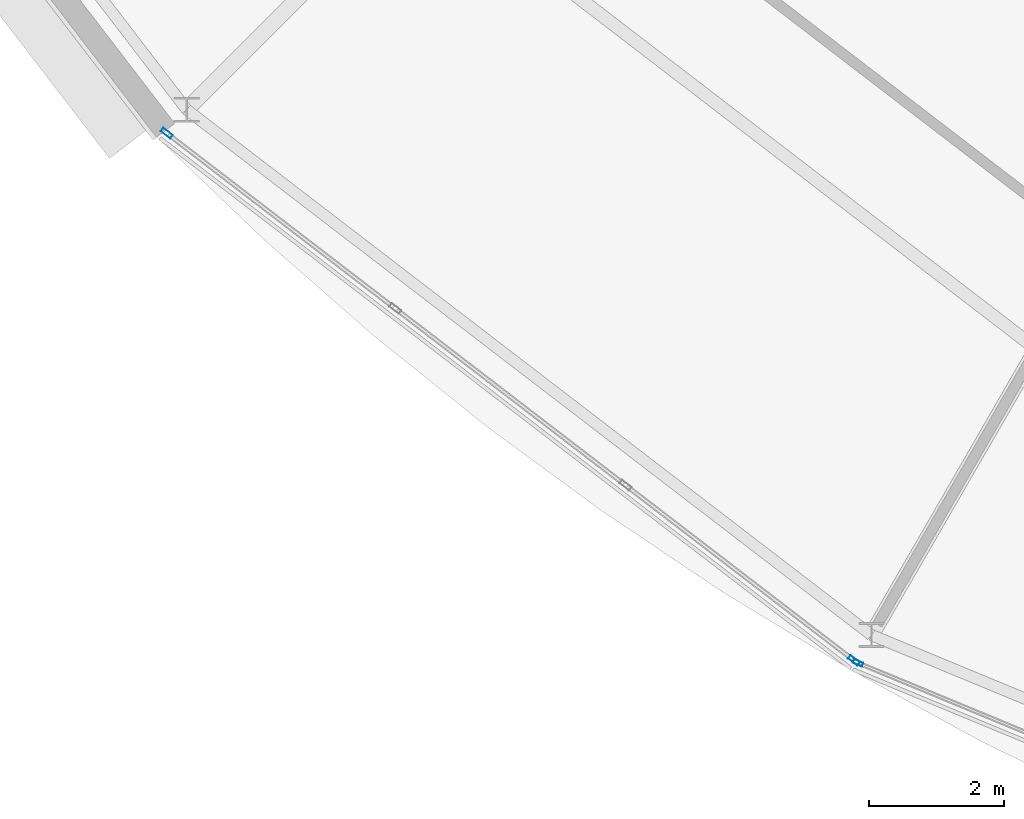
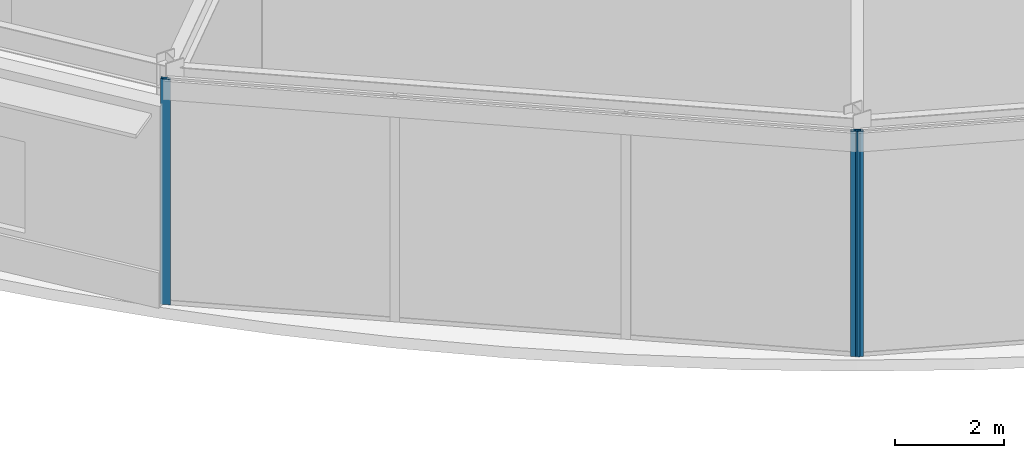
# One storey, part 26 of 168: 3 members, 2 elements without a shape of their own.
"""IFC4 building model written with IfcOpenShell, lengths in metres."""

import ifcopenshell
import ifcopenshell.guid

model = None  # the IFC model being written
_history = None  # IfcOwnerHistory: only IFC2X3 demands one
_inside = {}  # id of a spatial element -> (the spatial element, [elements in it])
_under = {}  # id of a project, library or spatial element -> (it, [spatial elements below it])
_declared = {}  # id of a project -> (the project, [libraries it declares])
_typed = {}  # id of a type object -> (the type object, [elements of that type])
_made_of = {}  # id of a material, layer set ... -> (it, [elements and type objects made of it])


def new_model(schema):
    """Start an empty IFC model of exactly this schema.

    Asked for "IFC4X3", IfcOpenShell would pick the latest addendum, in which some entities
    have other attributes; the version numbers below select the first issue.
    IFC2X3 requires an IfcOwnerHistory on every rooted entity: one is made here for all.
    """
    global model, _history
    if schema == "IFC4X3":
        model = ifcopenshell.file(schema_version=(4, 3, 0, 0))
    else:
        model = ifcopenshell.file(schema=schema)
    _inside.clear()
    _under.clear()
    _declared.clear()
    _typed.clear()
    _made_of.clear()
    _history = None
    if model.schema == "IFC2X3":
        org = make("IfcOrganization", Name="unknown")
        user = make(
            "IfcPersonAndOrganization",
            ThePerson=make("IfcPerson", FamilyName="unknown"),
            TheOrganization=org,
        )
        app = make(
            "IfcApplication",
            ApplicationDeveloper=org,
            Version="unknown",
            ApplicationFullName="unknown",
            ApplicationIdentifier="unknown",
        )
        _history = make(
            "IfcOwnerHistory",
            OwningUser=user,
            OwningApplication=app,
            ChangeAction="ADDED",
            CreationDate=0,
        )
    return model


def make(cls, **values):
    """One entity of the class cls with the attributes given. An attribute that is None is left unset."""
    return model.create_entity(
        cls, **{name: value for name, value in values.items() if value is not None}
    )


def rooted(cls, **values):
    """An entity with a GlobalId (a new one), such as an element, a storey or a relation."""
    return make(cls, GlobalId=ifcopenshell.guid.new(), OwnerHistory=_history, **values)


def si_unit(unit_type, name, prefix=None):
    """IfcSIUnit, for example si_unit("LENGTHUNIT", "METRE", prefix="MILLI")."""
    return make("IfcSIUnit", UnitType=unit_type, Prefix=prefix, Name=name)


def assignment(units):
    """IfcUnitAssignment: the units of a project."""
    return None if units is None else make("IfcUnitAssignment", Units=units)


def point(xyz):
    """IfcCartesianPoint."""
    return None if xyz is None else make("IfcCartesianPoint", Coordinates=xyz)


def direction(xyz):
    """IfcDirection."""
    return None if xyz is None else make("IfcDirection", DirectionRatios=xyz)


def frame(location, z_axis=None, x_axis=None):
    """IfcAxis2Placement3D, a coordinate frame: its origin and axes. An axis left out is left unset."""
    return make(
        "IfcAxis2Placement3D",
        Location=point(location),
        Axis=direction(z_axis),
        RefDirection=direction(x_axis),
    )


def frame_2d(location, x_axis=None):
    """IfcAxis2Placement2D, a coordinate frame in the plane: its origin and x axis."""
    return make(
        "IfcAxis2Placement2D", Location=point(location), RefDirection=direction(x_axis)
    )


def origin():
    """The frame at (0, 0, 0) with its axes left unset."""
    return frame((0.0, 0.0, 0.0))


def origin_2d():
    """The frame at (0, 0) in the plane with its x axis left unset."""
    return frame_2d((0.0, 0.0))


def place(relative_to, where):
    """IfcLocalPlacement: puts the frame where relative to a parent placement (None: the world)."""
    return make(
        "IfcLocalPlacement", PlacementRelTo=relative_to, RelativePlacement=where
    )


def context(
    kind, dimensions, precision=None, world=None, true_north=None, identifier=None
):
    """IfcGeometricRepresentationContext, for example the 3D "Model" context."""
    return make(
        "IfcGeometricRepresentationContext",
        ContextIdentifier=identifier,
        ContextType=kind,
        CoordinateSpaceDimension=dimensions,
        Precision=precision,
        WorldCoordinateSystem=world,
        TrueNorth=true_north,
    )


def subcontext(parent, identifier, kind, view, scale=None):
    """IfcGeometricRepresentationSubContext, for example "Body" below "Model"."""
    return make(
        "IfcGeometricRepresentationSubContext",
        ContextIdentifier=identifier,
        ContextType=kind,
        ParentContext=parent,
        TargetScale=scale,
        TargetView=view,
    )


def project(units=None, contexts=None):
    """IfcProject with its units and contexts."""
    return rooted(
        "IfcProject",
        Name="project",
        RepresentationContexts=contexts,
        UnitsInContext=assignment(units),
    )


def spatial(cls, under=None, at=None, **own):
    """A site, building, storey or space (cls), placed at a placement, below another one or the project."""
    s = rooted(cls, ObjectPlacement=at, **own)
    if under is not None:
        _under.setdefault(under.id(), (under, []))[1].append(s)
    return s


def profile(cls, at=None, kind="AREA", **sizes):
    """A parametric profile (cls). Its sizes go by their IFC names, for example OverallWidth=200.0."""
    return make(cls, ProfileType=kind, Position=at, **sizes)


def hollow_rectangle(**sizes):
    """IfcRectangleHollowProfileDef."""
    return profile("IfcRectangleHollowProfileDef", **sizes)


def extrude(swept, where, along, depth):
    """IfcExtrudedAreaSolid: the profile swept, set in the frame where, extruded along a direction by depth."""
    return make(
        "IfcExtrudedAreaSolid",
        SweptArea=swept,
        Position=where,
        ExtrudedDirection=direction(along),
        Depth=depth,
    )


def shape(context_of_items, identifier, shape_type, items):
    """IfcShapeRepresentation: the items that make up one representation, for example the "Body"."""
    return make(
        "IfcShapeRepresentation",
        ContextOfItems=context_of_items,
        RepresentationIdentifier=identifier,
        RepresentationType=shape_type,
        Items=items,
    )


def material(Name=None, Category=None):
    """IfcMaterial."""
    return make("IfcMaterial", Name=Name, Category=Category)


def material_profile(
    of_material, cross_section, Name=None, Category=None, Priority=None
):
    """IfcMaterialProfile: a cross section and its material."""
    return make(
        "IfcMaterialProfile",
        Name=Name,
        Material=of_material,
        Profile=cross_section,
        Priority=Priority,
        Category=Category,
    )


def profile_set(profiles, Name=None, composite=None):
    """IfcMaterialProfileSet."""
    return make(
        "IfcMaterialProfileSet",
        Name=Name,
        MaterialProfiles=profiles,
        CompositeProfile=composite,
    )


def made_of(thing, what):
    """Note that an element or type object is made of a material, layer set ...; save() writes the relation."""
    if what is not None:
        _made_of.setdefault(what.id(), (what, []))[1].append(thing)
    return thing


def type_object(cls, material=None, **own):
    """A type object (cls), such as IfcWallType, which elements share."""
    return made_of(rooted(cls, **own), material)


def element(
    cls,
    number,
    at=None,
    inside=None,
    cuts=None,
    type_object=None,
    material=None,
    context=None,
    identifier="Body",
    shape_type=None,
    held_by="IfcProductDefinitionShape",
    body=None,
    shapes=None,
    **own,
):
    """One element of the class cls, such as IfcWall. Its Tag is "e" and its number.

    at: its placement. inside: the storey or other place that contains it. cuts: it is an
    opening in that element (IfcRelVoidsElement). A single representation is given by context,
    identifier, shape_type and body (its items); several are given by shapes. held_by: the class
    of the entity that holds the representations. save() writes the other relations.
    """
    e = rooted(cls, Tag="e%d" % number, ObjectPlacement=at, **own)
    if body is not None:
        shapes = [shape(context, identifier, shape_type, body)]
    if shapes is not None:
        e.Representation = make(held_by, Representations=shapes)
    if inside is not None:
        _inside.setdefault(inside.id(), (inside, []))[1].append(e)
    if cuts is not None:
        rooted(
            "IfcRelVoidsElement", RelatingBuildingElement=cuts, RelatedOpeningElement=e
        )
    if type_object is not None:
        _typed.setdefault(type_object.id(), (type_object, []))[1].append(e)
    return made_of(e, material)


def aggregate(whole, parts):
    """IfcRelAggregates: a whole, such as a stair, and the parts it consists of."""
    return rooted("IfcRelAggregates", RelatingObject=whole, RelatedObjects=parts)


def save(model, path):
    """Write the relations noted so far, then the file.

    IfcRelAggregates (storeys below a building ...), IfcRelContainedInSpatialStructure (elements
    in a storey), IfcRelDefinesByType, IfcRelAssociatesMaterial and IfcRelDeclares: one each for
    every whole, place, type object, material and project.
    """
    for whole, parts in _under.values():
        aggregate(whole, parts)
    for where, things in _inside.values():
        rooted(
            "IfcRelContainedInSpatialStructure",
            RelatedElements=things,
            RelatingStructure=where,
        )
    for kind, things in _typed.values():
        rooted("IfcRelDefinesByType", RelatedObjects=things, RelatingType=kind)
    for what, things in _made_of.values():
        rooted("IfcRelAssociatesMaterial", RelatedObjects=things, RelatingMaterial=what)
    for by, libraries in _declared.values():
        rooted("IfcRelDeclares", RelatingContext=by, RelatedDefinitions=libraries)
    model.write(path)


model = new_model("IFC4")

# Units and contexts
model_context = context("Model", 3, precision=1e-05, world=origin(), true_north=direction((0.0, 1.0)))
body_context = subcontext(model_context, "Body", "Model", "MODEL_VIEW")
ifc_project = project(units=[si_unit("LENGTHUNIT", "METRE"), si_unit("AREAUNIT", "SQUARE_METRE"), si_unit("VOLUMEUNIT", "CUBIC_METRE"), si_unit("PLANEANGLEUNIT", "RADIAN"), si_unit("MASSUNIT", "GRAM", prefix="KILO")], contexts=[model_context])

# Site, building, storey
site_placement = place(None, origin())
site = spatial("IfcSite", under=ifc_project, at=site_placement, CompositionType="ELEMENT")
building_placement = place(site_placement, origin())
building = spatial("IfcBuilding", under=site, at=building_placement, Name="Almandine Court Research Institute", CompositionType="ELEMENT")
storey_placement = place(building_placement, origin())
storey = spatial("IfcBuildingStorey", under=building, at=storey_placement, Name="L00", CompositionType="ELEMENT", Elevation=0.0)

# Curtain wall, member
ifc_material_1 = material(Name="Unitised Curtain Wall Framing and Solar Glazing", Category="glass")
curtain_wall_type_1 = type_object("IfcCurtainWallType", Name="CW-CWG-18", PredefinedType="USERDEFINED", material=ifc_material_1)
curtain_wall_1_placement = place(storey_placement, origin())
curtain_wall_1 = element("IfcCurtainWall", 1, at=curtain_wall_1_placement, inside=storey, type_object=curtain_wall_type_1, Name="L00 Stacked-Ring Drum Outer Unitised Glazing 16", ObjectType="UNITISED GLAZING", PredefinedType="USERDEFINED")
ifc_material_2 = material(Name="Anodised Aluminium AW-6063-T6", Category="aluminium")
ifc_material_profile_1 = material_profile(ifc_material_2, hollow_rectangle(XDim=0.06005859375, YDim=0.14990234375, WallThickness=0.00390625, at=origin_2d()), Name="ALU RHS 60x150x4")
ifc_profile_set_1 = profile_set([ifc_material_profile_1], Name="Anodised Aluminium AW-6063-T6")
member_type_1 = type_object("IfcMemberType", Name="CWMul-60x150", PredefinedType="MULLION", material=ifc_profile_set_1)
member_1_placement = place(storey_placement, frame((62.350830078125, 13.239501953125, 0.0), z_axis=(0.0, 0.0, 1.0), x_axis=(-0.382662689242, -0.923888124321, 0.0)))
member_1 = element("IfcMember", 2, at=member_1_placement, type_object=member_type_1, Name="CWG-18 mullion 4", PredefinedType="MULLION", context=body_context, shape_type="SweptSolid", body=[
    extrude(hollow_rectangle(XDim=0.06005859375, YDim=0.14990234375, WallThickness=0.00390625, at=origin_2d()), origin(), (0.0, 0.0, 1.0), 5.070068359375),
])
aggregate(curtain_wall_1, [member_1])

# Curtain wall, members
curtain_wall_type_2 = type_object("IfcCurtainWallType", Name="CW-CWJ-17", PredefinedType="USERDEFINED", material=ifc_material_1)
curtain_wall_2_placement = place(storey_placement, origin())
curtain_wall_2 = element("IfcCurtainWall", 3, at=curtain_wall_2_placement, inside=storey, type_object=curtain_wall_type_2, Name="L00 Stacked-Ring Drum Outer Solar Jali Screen 15", ObjectType="SOLAR JALI SCREEN", PredefinedType="USERDEFINED")
ifc_material_profile_2 = material_profile(ifc_material_2, hollow_rectangle(XDim=0.06494140625, YDim=0.179931640625, WallThickness=0.00390625, at=origin_2d()), Name="ALU RHS 65x180x4")
ifc_profile_set_2 = profile_set([ifc_material_profile_2], Name="Anodised Aluminium AW-6063-T6")
member_type_2 = type_object("IfcMemberType", Name="CWMul-65x180", PredefinedType="MULLION", material=ifc_profile_set_2)
member_2_placement = place(storey_placement, frame((62.291259765625, 13.27490234375, 0.0), z_axis=(0.0, 0.0, 1.0), x_axis=(-0.608723313303, -0.793382586046, 0.0)))
member_2 = element("IfcMember", 4, at=member_2_placement, type_object=member_type_2, Name="CWJ-17 mullion 1", PredefinedType="MULLION", context=body_context, shape_type="SweptSolid", body=[
    extrude(hollow_rectangle(XDim=0.06494140625, YDim=0.179931640625, WallThickness=0.00390625, at=origin_2d()), origin(), (0.0, 0.0, 1.0), 5.070068359375),
])
member_3_placement = place(storey_placement, frame((52.125732421875, 21.07421875, 0.0), z_axis=(0.0, 0.0, 1.0), x_axis=(-0.608723313303, -0.793382586046, 0.0)))
member_3 = element("IfcMember", 5, at=member_3_placement, type_object=member_type_2, Name="CWJ-17 mullion 4", PredefinedType="MULLION", context=body_context, shape_type="SweptSolid", body=[
    extrude(hollow_rectangle(XDim=0.06494140625, YDim=0.179931640625, WallThickness=0.00390625, at=origin_2d()), origin(), (0.0, 0.0, 1.0), 5.070068359375),
])
aggregate(curtain_wall_2, [member_2, member_3])

save(model, "model.ifc")
